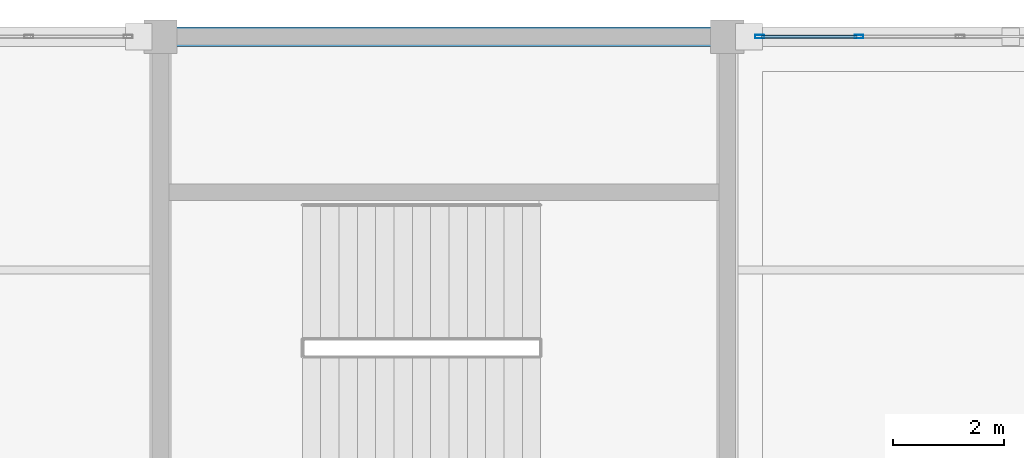
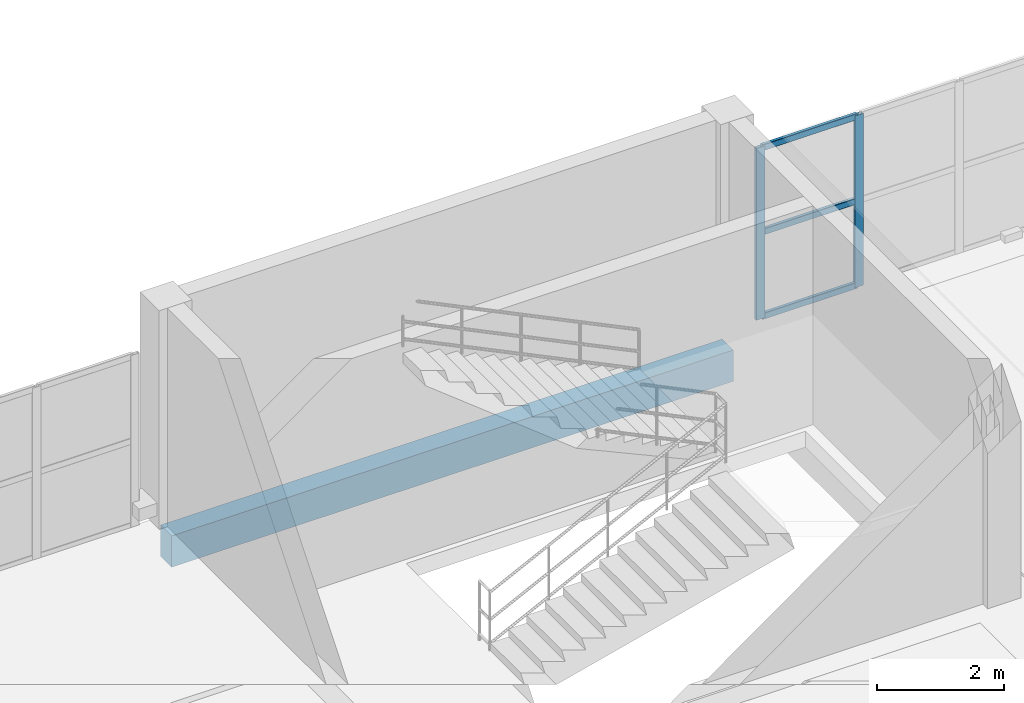
# One storey, part 12 of 24: 5 members, 1 beam, 1 element without a shape of its own.
"""IFC4 building model written with IfcOpenShell, lengths in metres."""

from ifc_helpers import new_model, si_unit, direction, frame, origin, origin_2d, place, context, subcontext, project, spatial, rectangle, hollow_rectangle, extrude, material, material_profile, profile_set, type_object, element, aggregate, save


model = new_model("IFC4")

# Units and contexts
model_context = context("Model", 3, precision=1e-05, world=origin(), true_north=direction((0.0, 1.0)))
body_context = subcontext(model_context, "Body", "Model", "MODEL_VIEW")
ifc_project = project(units=[si_unit("LENGTHUNIT", "METRE"), si_unit("AREAUNIT", "SQUARE_METRE"), si_unit("VOLUMEUNIT", "CUBIC_METRE"), si_unit("PLANEANGLEUNIT", "RADIAN"), si_unit("MASSUNIT", "GRAM", prefix="KILO")], contexts=[model_context])

# Site, building, storey
site_placement = place(None, origin())
site = spatial("IfcSite", under=ifc_project, at=site_placement, CompositionType="ELEMENT")
building_placement = place(site_placement, origin())
building = spatial("IfcBuilding", under=site, at=building_placement, Name="Brelvane Convention Centre", CompositionType="ELEMENT")
storey_placement = place(building_placement, frame((0.0, 0.0, 19.199951171875)))
storey = spatial("IfcBuildingStorey", under=building, at=storey_placement, Name="L04", CompositionType="ELEMENT", Elevation=19.199951171875)

# Curtain wall, members
ifc_material_1 = material(Name="Anodised Aluminium Alloy 6063-T6", Category="aluminium")
curtain_wall_type = type_object("IfcCurtainWallType", Name="Curtain Wall CW-BOUL", PredefinedType="USERDEFINED", material=ifc_material_1)
curtain_wall_placement = place(storey_placement, origin())
curtain_wall = element("IfcCurtainWall", 1, at=curtain_wall_placement, inside=storey, type_object=curtain_wall_type, Name="Curtain Wall CW-BOUL L04-V4N-04", ObjectType="UNITISED", PredefinedType="USERDEFINED")
ifc_material_2 = material(Name="Anodised Aluminium Alloy 6063-T6", Category="aluminium")
ifc_material_profile_1 = material_profile(ifc_material_2, hollow_rectangle(XDim=0.06494140625, YDim=0.159912109375, WallThickness=0.00390625, InnerFilletRadius=0.00390625, OuterFilletRadius=0.008056640625, at=origin_2d()), Name="ALU-M 160x65x4.0")
ifc_profile_set_1 = profile_set([ifc_material_profile_1], Name="Anodised Aluminium Alloy 6063-T6")
member_type_1 = type_object("IfcMemberType", Name="Curtain Mullion CW-M3", PredefinedType="MULLION", material=ifc_profile_set_1)
member_1_placement = place(storey_placement, frame((31.1826171875, 144.0, 0.0), z_axis=(0.0, 0.0, 1.0), x_axis=(0.0, 1.0, 0.0)))
member_1 = element("IfcMember", 2, at=member_1_placement, type_object=member_type_1, Name="CW-BOUL mullion 1", PredefinedType="MULLION", context=body_context, shape_type="SweptSolid", body=[
    extrude(hollow_rectangle(XDim=0.06494140625, YDim=0.159912109375, WallThickness=0.00390625, InnerFilletRadius=0.00390625, OuterFilletRadius=0.008056640625, at=origin_2d()), origin(), (0.0, 0.0, 1.0), 3.300048828125),
])
member_2_placement = place(storey_placement, frame((32.969970703125, 144.0, 0.0), z_axis=(0.0, 0.0, 1.0), x_axis=(0.0, 1.0, 0.0)))
member_2 = element("IfcMember", 3, at=member_2_placement, type_object=member_type_1, Name="CW-BOUL mullion 2", PredefinedType="MULLION", context=body_context, shape_type="SweptSolid", body=[
    extrude(hollow_rectangle(XDim=0.06494140625, YDim=0.159912109375, WallThickness=0.00390625, InnerFilletRadius=0.00390625, OuterFilletRadius=0.008056640625, at=origin_2d()), origin(), (0.0, 0.0, 1.0), 3.300048828125),
])
ifc_material_3 = material(Name="Anodised Aluminium Alloy 6063-T6", Category="aluminium")
ifc_material_profile_2 = material_profile(ifc_material_3, hollow_rectangle(XDim=0.06005859375, YDim=0.1201171875, WallThickness=0.00390625, InnerFilletRadius=0.00390625, OuterFilletRadius=0.008056640625, at=origin_2d()), Name="ALU-T 120x60x4.0")
ifc_profile_set_2 = profile_set([ifc_material_profile_2], Name="Anodised Aluminium Alloy 6063-T6")
member_type_2 = type_object("IfcMemberType", Name="Curtain Transom CW-T3", PredefinedType="USERDEFINED", material=ifc_profile_set_2)
member_3_placement = place(storey_placement, frame((31.215087890625, 144.0, 0.030029296875), z_axis=(1.0, 0.0, 0.0), x_axis=(0.0, 1.0, 0.0)))
member_3 = element("IfcMember", 4, at=member_3_placement, type_object=member_type_2, Name="CW-BOUL transom 1.1", ObjectType="TRANSOM", PredefinedType="USERDEFINED", context=body_context, shape_type="SweptSolid", body=[
    extrude(hollow_rectangle(XDim=0.06005859375, YDim=0.1201171875, WallThickness=0.00390625, InnerFilletRadius=0.00390625, OuterFilletRadius=0.008056640625, at=origin_2d()), origin(), (0.0, 0.0, 1.0), 1.722412109375),
])
member_4_placement = place(storey_placement, frame((31.215087890625, 144.0, 1.650146484375), z_axis=(1.0, 0.0, 0.0), x_axis=(0.0, 1.0, 0.0)))
member_4 = element("IfcMember", 5, at=member_4_placement, type_object=member_type_2, Name="CW-BOUL transom 1.2", ObjectType="TRANSOM", PredefinedType="USERDEFINED", context=body_context, shape_type="SweptSolid", body=[
    extrude(hollow_rectangle(XDim=0.06005859375, YDim=0.1201171875, WallThickness=0.00390625, InnerFilletRadius=0.00390625, OuterFilletRadius=0.008056640625, at=origin_2d()), origin(), (0.0, 0.0, 1.0), 1.722412109375),
])
member_5_placement = place(storey_placement, frame((31.215087890625, 144.0, 3.27001953125), z_axis=(1.0, 0.0, 0.0), x_axis=(0.0, 1.0, 0.0)))
member_5 = element("IfcMember", 6, at=member_5_placement, type_object=member_type_2, Name="CW-BOUL transom 1.3", ObjectType="TRANSOM", PredefinedType="USERDEFINED", context=body_context, shape_type="SweptSolid", body=[
    extrude(hollow_rectangle(XDim=0.06005859375, YDim=0.1201171875, WallThickness=0.00390625, InnerFilletRadius=0.00390625, OuterFilletRadius=0.008056640625, at=origin_2d()), origin(), (0.0, 0.0, 1.0), 1.722412109375),
])
aggregate(curtain_wall, [member_1, member_2, member_3, member_4, member_5])

# Beam
ifc_material_4 = material(Name="Concrete M40", Category="concrete")
ifc_material_profile_3 = material_profile(ifc_material_4, rectangle(XDim=0.35009765625, YDim=0.60009765625, at=origin_2d()), Name="RC 350x600")
ifc_profile_set_3 = profile_set([ifc_material_profile_3], Name="Concrete M40")
beam_type = type_object("IfcBeamType", Name="RC Spandrel SP-RC2 (RC 350x600)", PredefinedType="SPANDREL", material=ifc_profile_set_3)
beam_placement = place(storey_placement, frame((20.39990234375, 144.0, -0.60498046875), z_axis=(1.0, 0.0, 0.0), x_axis=(0.0, 1.0, 0.0)))
element("IfcBeam", 7, at=beam_placement, inside=storey, type_object=beam_type, Name="L04 Beam 3-4/Q", PredefinedType="SPANDREL", context=body_context, shape_type="SweptSolid", body=[
    extrude(rectangle(XDim=0.35009765625, YDim=0.60009765625, at=origin_2d()), origin(), (0.0, 0.0, 1.0), 10.2001953125),
])

save(model, "model.ifc")
